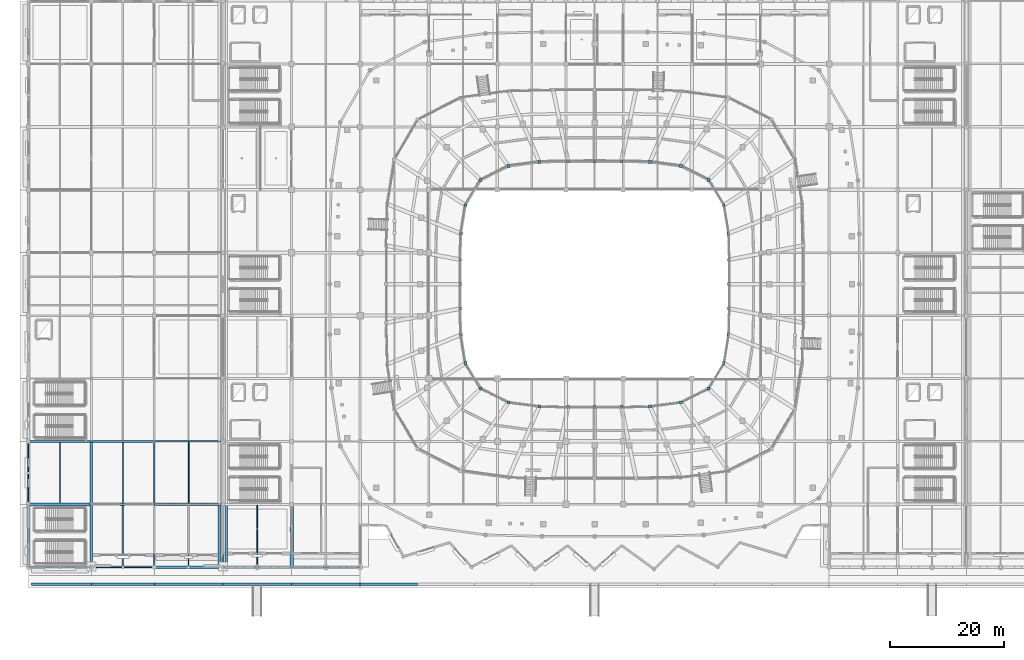
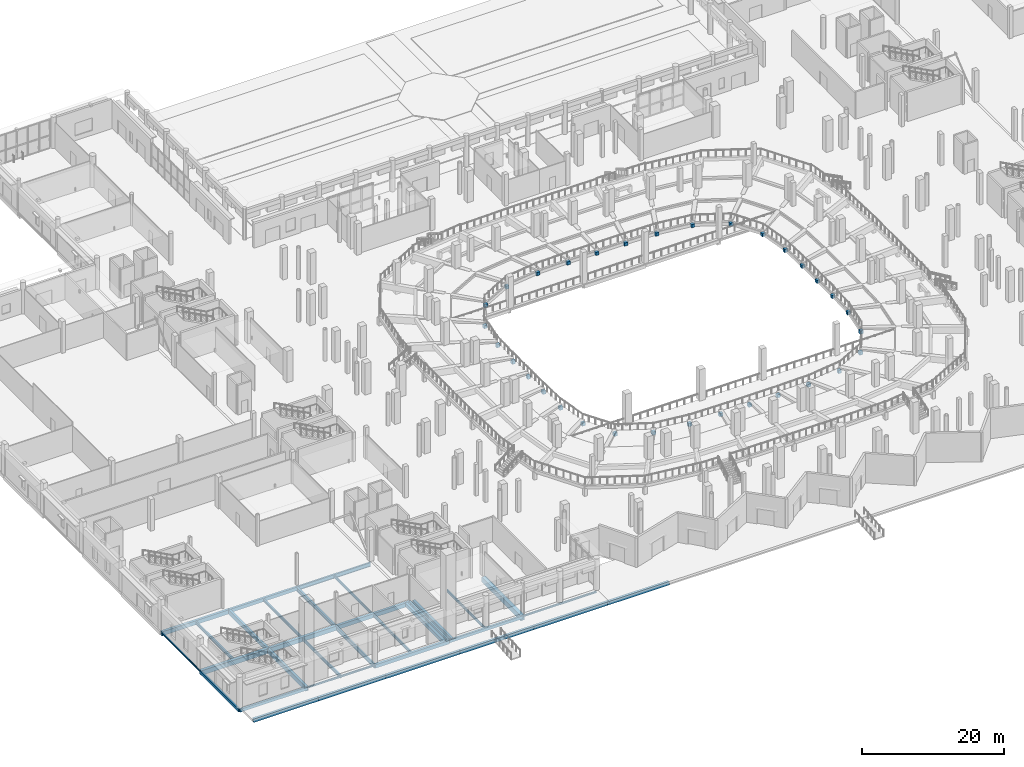
# One storey, part 16 of 120: 33 beams, 32 columns.
"""IFC4 building model written with IfcOpenShell, lengths in metres."""

from ifc_helpers import new_model, si_unit, direction, frame, origin, origin_2d, place, context, subcontext, project, spatial, rectangle, hollow_rectangle, i_section, extrude, material, material_profile, profile_set, type_object, element, save


model = new_model("IFC4")

# Units and contexts
model_context = context("Model", 3, precision=1e-05, world=origin(), true_north=direction((0.0, 1.0)))
body_context = subcontext(model_context, "Body", "Model", "MODEL_VIEW")
ifc_project = project(units=[si_unit("LENGTHUNIT", "METRE"), si_unit("AREAUNIT", "SQUARE_METRE"), si_unit("VOLUMEUNIT", "CUBIC_METRE"), si_unit("PLANEANGLEUNIT", "RADIAN"), si_unit("MASSUNIT", "GRAM", prefix="KILO")], contexts=[model_context])

# Site, building, storey
site_placement = place(None, origin())
site = spatial("IfcSite", under=ifc_project, at=site_placement, CompositionType="ELEMENT")
building_placement = place(site_placement, origin())
building = spatial("IfcBuilding", under=site, at=building_placement, Name="Luwafu Chhajja Arena", CompositionType="ELEMENT")
storey_placement = place(building_placement, origin())
storey = spatial("IfcBuildingStorey", under=building, at=storey_placement, Name="L00", CompositionType="ELEMENT", Elevation=0.0)

# Columns
ifc_material_1 = material(Name="Concrete C35/45", Category="concrete")
ifc_material_profile_1 = material_profile(ifc_material_1, rectangle(XDim=0.5, YDim=0.5, at=origin_2d()), Name="RC 500x500")
ifc_profile_set_1 = profile_set([ifc_material_profile_1], Name="Concrete C35/45")
column_type = type_object("IfcColumnType", Name="Pavilion Column RC 500", PredefinedType="COLUMN", material=ifc_profile_set_1)
for number, where, z_axis, x_axis, name in (
    (1, (122.5, 49.5, 0.0), (0.0, 0.0, 1.0), (1.0, 0.0, 0.0), "L00 Raker Toe Plinth 01"),
    (2, (122.49365234375, 53.775390625, 0.0), (0.0, 0.0, 1.0), (1.0, 0.0, 0.0), "L00 Raker Toe Plinth 02"),
    (3, (122.364013671875, 58.35400390625, 0.0), (0.0, 0.0, 1.0), (1.0, 0.0, 0.0), "L00 Raker Toe Plinth 03"),
    (4, (121.57421875, 63.2998046875, 0.0), (0.0, 0.0, 1.0), (1.0, 0.0, 0.0), "L00 Raker Toe Plinth 04"),
    (5, (118.9248046875, 67.72900390625, 0.0), (0.0, 0.0, 1.0), (1.0, 0.0, 0.0), "L00 Raker Toe Plinth 05"),
    (6, (114.08349609375, 70.153076171875, 0.0), (0.0, 0.0, 1.0), (1.0, 0.0, 0.0), "L00 Raker Toe Plinth 06"),
    (7, (108.677734375, 70.87548828125, 0.0), (0.0, 0.0, 1.0), (1.0, 0.0, 0.0), "L00 Raker Toe Plinth 07"),
    (8, (103.673095703125, 70.994140625, 0.0), (0.0, 0.0, 1.0), (1.0, 0.0, 0.0), "L00 Raker Toe Plinth 08"),
    (9, (99.0, 71.0, 0.0), (0.0, 0.0, 1.0), (1.0, 0.0, 0.0), "L00 Raker Toe Plinth 09"),
    (10, (94.326904296875, 70.994140625, 0.0), (0.0, 0.0, 1.0), (1.0, 0.0, 0.0), "L00 Raker Toe Plinth 10"),
    (11, (89.322265625, 70.87548828125, 0.0), (0.0, 0.0, 1.0), (1.0, 0.0, 0.0), "L00 Raker Toe Plinth 11"),
    (12, (83.91650390625, 70.153076171875, 0.0), (0.0, 0.0, 1.0), (1.0, 0.0, 0.0), "L00 Raker Toe Plinth 12"),
    (13, (79.0751953125, 67.72900390625, 0.0), (0.0, 0.0, 1.0), (1.0, 0.0, 0.0), "L00 Raker Toe Plinth 13"),
    (14, (76.42578125, 63.2998046875, 0.0), (0.0, 0.0, 1.0), (1.0, 0.0, 0.0), "L00 Raker Toe Plinth 14"),
    (15, (75.635986328125, 58.35400390625, 0.0), (0.0, 0.0, 1.0), (1.0, 0.0, 0.0), "L00 Raker Toe Plinth 15"),
    (16, (75.50634765625, 53.775390625, 0.0), (0.0, 0.0, 1.0), (1.0, 0.0, 0.0), "L00 Raker Toe Plinth 16"),
    (17, (75.5, 49.5, 0.0), (0.0, 0.0, 1.0), (1.0, 0.0, 0.0), "L00 Raker Toe Plinth 17"),
    (18, (75.50634765625, 45.224609375, 0.0), (0.0, 0.0, 1.0), (1.0, 0.0, 0.0), "L00 Raker Toe Plinth 18"),
    (19, (75.635986328125, 40.64599609375, 0.0), (0.0, 0.0, 1.0), (1.0, 0.0, 0.0), "L00 Raker Toe Plinth 19"),
    (20, (76.42578125, 35.7001953125, 0.0), (0.0, 0.0, 1.0), (1.0, 0.0, 0.0), "L00 Raker Toe Plinth 20"),
    (21, (79.0751953125, 31.27099609375, 0.0), (0.0, 0.0, 1.0), (1.0, 0.0, 0.0), "L00 Raker Toe Plinth 21"),
    (22, (83.91650390625, 28.846923828125, 0.0), (0.0, 0.0, 1.0), (1.0, 0.0, 0.0), "L00 Raker Toe Plinth 22"),
    (23, (89.322265625, 28.12451171875, 0.0), (0.0, 0.0, 1.0), (1.0, 0.0, 0.0), "L00 Raker Toe Plinth 23"),
    (24, (94.326904296875, 28.005859375, 0.0), (0.0, 0.0, 1.0), (1.0, 0.0, 0.0), "L00 Raker Toe Plinth 24"),
    (25, (99.0, 28.0, 0.0), (0.0, 0.0, 1.0), (1.0, 0.0, 0.0), "L00 Raker Toe Plinth 25"),
    (26, (103.673095703125, 28.005859375, 0.0), (0.0, 0.0, 1.0), (1.0, 0.0, 0.0), "L00 Raker Toe Plinth 26"),
    (27, (108.677734375, 28.12451171875, 0.0), (0.0, 0.0, 1.0), (1.0, 0.0, 0.0), "L00 Raker Toe Plinth 27"),
    (28, (114.08349609375, 28.846923828125, 0.0), (0.0, 0.0, 1.0), (1.0, 0.0, 0.0), "L00 Raker Toe Plinth 28"),
    (29, (118.9248046875, 31.27099609375, 0.0), (0.0, 0.0, 1.0), (1.0, 0.0, 0.0), "L00 Raker Toe Plinth 29"),
    (30, (121.57421875, 35.7001953125, 0.0), (0.0, 0.0, 1.0), (1.0, 0.0, 0.0), "L00 Raker Toe Plinth 30"),
    (31, (122.364013671875, 40.64599609375, 0.0), (0.0, 0.0, 1.0), (1.0, 0.0, 0.0), "L00 Raker Toe Plinth 31"),
    (32, (122.49365234375, 45.224609375, 0.0), (0.0, 0.0, 1.0), (1.0, 0.0, 0.0), "L00 Raker Toe Plinth 32"),
):
    element("IfcColumn", number, at=place(storey_placement, frame(where, z_axis=z_axis, x_axis=x_axis)), inside=storey, type_object=column_type, Name=name, PredefinedType="COLUMN", context=body_context, shape_type="SweptSolid", body=[
        extrude(rectangle(XDim=0.5, YDim=0.5, at=origin_2d()), origin(), (0.0, 0.0, 1.0), 0.550048828125),
    ])

# Beams
ifc_material_profile_2 = material_profile(ifc_material_1, rectangle(XDim=0.35009765625, YDim=0.60009765625, at=origin_2d()), Name="RC 350x600")
ifc_profile_set_2 = profile_set([ifc_material_profile_2], Name="Concrete C35/45")
beam_type_1 = type_object("IfcBeamType", Name="Arcade Tie Beam RC 350x600", PredefinedType="BEAM", material=ifc_profile_set_2)
beam_1_placement = place(storey_placement, frame((11.0, 22.0, -0.64990234375), z_axis=(1.0, 0.0, 0.0), x_axis=(0.0, 1.0, 0.0)))
element("IfcBeam", 33, at=beam_1_placement, inside=storey, type_object=beam_type_1, Name="L00 Grid Beam 2-3/C", PredefinedType="BEAM", context=body_context, shape_type="SweptSolid", body=[
    extrude(rectangle(XDim=0.35009765625, YDim=0.60009765625, at=origin_2d()), origin(), (0.0, 0.0, 1.0), 11.0),
])
ifc_material_2 = material(Name="Steel S355", Category="steel")
ifc_material_profile_3 = material_profile(ifc_material_2, i_section(OverallWidth=0.165771484375, OverallDepth=0.306640625, WebThickness=0.006591796875, FlangeThickness=0.01171875, at=origin_2d()), Name="UB 305x165x46")
ifc_profile_set_3 = profile_set([ifc_material_profile_3], Name="Steel S355")
beam_type_2 = type_object("IfcBeamType", Name="Concourse Edge Spandrel Beam UB 305x165x46", PredefinedType="SPANDREL", material=ifc_profile_set_3)
beam_2_placement = place(storey_placement, frame((11.0, 0.0, -0.50341796875), z_axis=(1.0, 0.0, 0.0), x_axis=(0.0, 1.0, 0.0)))
element("IfcBeam", 34, at=beam_2_placement, inside=storey, type_object=beam_type_2, Name="L00 Grid Beam 2-3/A", PredefinedType="SPANDREL", context=body_context, shape_type="SweptSolid", body=[
    extrude(i_section(OverallWidth=0.165771484375, OverallDepth=0.306640625, WebThickness=0.006591796875, FlangeThickness=0.01171875, at=origin_2d()), origin(), (0.0, 0.0, 1.0), 11.0),
])
beam_3_placement = place(storey_placement, frame((46.0, 0.0, -0.50341796875), z_axis=(1.0, 0.0, 0.0), x_axis=(0.0, 1.0, 0.0)))
element("IfcBeam", 35, at=beam_3_placement, inside=storey, type_object=beam_type_2, Name="L00 Grid Beam 5-6/A", PredefinedType="SPANDREL", context=body_context, shape_type="SweptSolid", body=[
    extrude(i_section(OverallWidth=0.165771484375, OverallDepth=0.306640625, WebThickness=0.006591796875, FlangeThickness=0.01171875, at=origin_2d()), origin(), (0.0, 0.0, 1.0), 12.0),
])
beam_4_placement = place(storey_placement, frame((0.0, 11.0, -0.50341796875), z_axis=(0.0, 1.0, 0.0), x_axis=(-1.0, 0.0, 0.0)))
element("IfcBeam", 36, at=beam_4_placement, inside=storey, type_object=beam_type_2, Name="L00 Grid Beam 1/B-C", PredefinedType="SPANDREL", context=body_context, shape_type="SweptSolid", body=[
    extrude(i_section(OverallWidth=0.165771484375, OverallDepth=0.306640625, WebThickness=0.006591796875, FlangeThickness=0.01171875, at=origin_2d()), origin(), (0.0, 0.0, 1.0), 11.0),
])
ifc_material_profile_4 = material_profile(ifc_material_1, rectangle(XDim=0.60009765625, YDim=0.89990234375, at=origin_2d()), Name="RC 600x900")
ifc_profile_set_4 = profile_set([ifc_material_profile_4], Name="Concrete C35/45")
beam_type_3 = type_object("IfcBeamType", Name="Concourse Primary Girder RC 600x900", PredefinedType="BEAM", material=ifc_profile_set_4)
beam_5_placement = place(storey_placement, frame((46.0, 0.0, -0.800048828125), z_axis=(0.0, 1.0, 0.0), x_axis=(-1.0, 0.0, 0.0)))
element("IfcBeam", 37, at=beam_5_placement, inside=storey, type_object=beam_type_3, Name="L00 Grid Beam 5/A-B", PredefinedType="BEAM", context=body_context, shape_type="SweptSolid", body=[
    extrude(rectangle(XDim=0.60009765625, YDim=0.89990234375, at=origin_2d()), origin(), (0.0, 0.0, 1.0), 11.0),
])
ifc_material_profile_5 = material_profile(ifc_material_2, i_section(OverallWidth=0.15283203125, OverallDepth=0.45458984375, WebThickness=0.008056640625, FlangeThickness=0.01318359375, at=origin_2d()), Name="UB 457x152x60")
ifc_profile_set_5 = profile_set([ifc_material_profile_5], Name="Steel S355")
beam_type_4 = type_object("IfcBeamType", Name="Floor Joist UB 457x152x60", PredefinedType="JOIST", material=ifc_profile_set_5)
beam_6_placement = place(storey_placement, frame((28.0, 11.199951171875, -0.577392578125), z_axis=(0.0, 1.0, 0.0), x_axis=(-1.0, 0.0, 0.0)))
element("IfcBeam", 38, at=beam_6_placement, inside=storey, type_object=beam_type_4, Name="L00 Secondary Joist 3-4/B", PredefinedType="JOIST", context=body_context, shape_type="SweptSolid", body=[
    extrude(i_section(OverallWidth=0.15283203125, OverallDepth=0.45458984375, WebThickness=0.008056640625, FlangeThickness=0.01318359375, at=origin_2d()), origin(), (0.0, 0.0, 1.0), 10.673095703125),
])
beam_7_placement = place(storey_placement, frame((40.0, 0.14990234375, -0.577392578125), z_axis=(0.0, 1.0, 0.0), x_axis=(-1.0, 0.0, 0.0)))
element("IfcBeam", 39, at=beam_7_placement, inside=storey, type_object=beam_type_4, Name="L00 Secondary Joist 4-5/A", PredefinedType="JOIST", context=body_context, shape_type="SweptSolid", body=[
    extrude(i_section(OverallWidth=0.15283203125, OverallDepth=0.45458984375, WebThickness=0.008056640625, FlangeThickness=0.01318359375, at=origin_2d()), origin(), (0.0, 0.0, 1.0), 10.675048828125),
])
ifc_material_profile_6 = material_profile(ifc_material_2, i_section(OverallWidth=0.19140625, OverallDepth=0.4599609375, WebThickness=0.010009765625, FlangeThickness=0.01611328125, at=origin_2d()), Name="UB 457x191x82")
ifc_profile_set_6 = profile_set([ifc_material_profile_6], Name="Steel S355")
beam_type_5 = type_object("IfcBeamType", Name="Floor Joist UB 457x191x82", PredefinedType="JOIST", material=ifc_profile_set_6)
beam_8_placement = place(storey_placement, frame((16.5, 11.22509765625, -0.580078125), z_axis=(0.0, 1.0, 0.0), x_axis=(-1.0, 0.0, 0.0)))
element("IfcBeam", 40, at=beam_8_placement, inside=storey, type_object=beam_type_5, Name="L00 Secondary Joist 2-3/B", PredefinedType="JOIST", context=body_context, shape_type="SweptSolid", body=[
    extrude(i_section(OverallWidth=0.19140625, OverallDepth=0.4599609375, WebThickness=0.010009765625, FlangeThickness=0.01611328125, at=origin_2d()), origin(), (0.0, 0.0, 1.0), 10.599853515625),
])
beam_9_placement = place(storey_placement, frame((28.0, 0.199951171875, -0.580078125), z_axis=(0.0, 1.0, 0.0), x_axis=(-1.0, 0.0, 0.0)))
element("IfcBeam", 41, at=beam_9_placement, inside=storey, type_object=beam_type_5, Name="L00 Secondary Joist 3-4/A", PredefinedType="JOIST", context=body_context, shape_type="SweptSolid", body=[
    extrude(i_section(OverallWidth=0.19140625, OverallDepth=0.4599609375, WebThickness=0.010009765625, FlangeThickness=0.01611328125, at=origin_2d()), origin(), (0.0, 0.0, 1.0), 10.60009765625),
])
ifc_material_profile_7 = material_profile(ifc_material_2, i_section(OverallWidth=0.209228515625, OverallDepth=0.533203125, WebThickness=0.010009765625, FlangeThickness=0.015625, at=origin_2d()), Name="UB 533x210x92")
ifc_profile_set_7 = profile_set([ifc_material_profile_7], Name="Steel S355")
beam_type_6 = type_object("IfcBeamType", Name="Floor Joist UB 533x210x92", PredefinedType="JOIST", material=ifc_profile_set_7)
beam_10_placement = place(storey_placement, frame((5.5, 11.25, -0.616455078125), z_axis=(0.0, 1.0, 0.0), x_axis=(-1.0, 0.0, 0.0)))
element("IfcBeam", 42, at=beam_10_placement, inside=storey, type_object=beam_type_6, Name="L00 Secondary Joist 1-2/B", PredefinedType="JOIST", context=body_context, shape_type="SweptSolid", body=[
    extrude(i_section(OverallWidth=0.209228515625, OverallDepth=0.533203125, WebThickness=0.010009765625, FlangeThickness=0.015625, at=origin_2d()), origin(), (0.0, 0.0, 1.0), 10.550048828125),
])
beam_11_placement = place(storey_placement, frame((16.5, 0.082763671875, -0.616455078125), z_axis=(0.0, 1.0, 0.0), x_axis=(-1.0, 0.0, 0.0)))
element("IfcBeam", 43, at=beam_11_placement, inside=storey, type_object=beam_type_6, Name="L00 Secondary Joist 2-3/A", PredefinedType="JOIST", context=body_context, shape_type="SweptSolid", body=[
    extrude(i_section(OverallWidth=0.209228515625, OverallDepth=0.533203125, WebThickness=0.010009765625, FlangeThickness=0.015625, at=origin_2d()), origin(), (0.0, 0.0, 1.0), 10.692138671875),
])
ifc_material_profile_8 = material_profile(ifc_material_1, rectangle(XDim=0.5, YDim=0.800048828125, at=origin_2d()), Name="RC 500x800")
ifc_profile_set_8 = profile_set([ifc_material_profile_8], Name="Concrete C35/45")
beam_type_7 = type_object("IfcBeamType", Name="Hospitality Primary Beam RC 500x800", PredefinedType="BEAM", material=ifc_profile_set_8)
beam_12_placement = place(storey_placement, frame((0.0, 11.0, -0.75), z_axis=(1.0, 0.0, 0.0), x_axis=(0.0, 1.0, 0.0)))
element("IfcBeam", 44, at=beam_12_placement, inside=storey, type_object=beam_type_7, Name="L00 Grid Beam 1-2/B", PredefinedType="BEAM", context=body_context, shape_type="SweptSolid", body=[
    extrude(rectangle(XDim=0.5, YDim=0.800048828125, at=origin_2d()), origin(), (0.0, 0.0, 1.0), 11.0),
])
ifc_material_profile_9 = material_profile(ifc_material_2, hollow_rectangle(XDim=0.300048828125, YDim=0.5, WallThickness=0.02001953125, at=origin_2d()), Name="RHS 500x300x20")
ifc_profile_set_9 = profile_set([ifc_material_profile_9], Name="Steel S355")
beam_type_8 = type_object("IfcBeamType", Name="Pleated Drum Spandrel Beam RHS 500x300", PredefinedType="SPANDREL", material=ifc_profile_set_9)
beam_13_placement = place(storey_placement, frame((0.0, 0.0, -0.60009765625), z_axis=(1.0, 0.0, 0.0), x_axis=(0.0, 1.0, 0.0)))
element("IfcBeam", 45, at=beam_13_placement, inside=storey, type_object=beam_type_8, Name="L00 Grid Beam 1-2/A", PredefinedType="SPANDREL", context=body_context, shape_type="SweptSolid", body=[
    extrude(hollow_rectangle(XDim=0.300048828125, YDim=0.5, WallThickness=0.02001953125, at=origin_2d()), origin(), (0.0, 0.0, 1.0), 11.0),
])
beam_14_placement = place(storey_placement, frame((34.0, 0.0, -0.60009765625), z_axis=(1.0, 0.0, 0.0), x_axis=(0.0, 1.0, 0.0)))
element("IfcBeam", 46, at=beam_14_placement, inside=storey, type_object=beam_type_8, Name="L00 Grid Beam 4-5/A", PredefinedType="SPANDREL", context=body_context, shape_type="SweptSolid", body=[
    extrude(hollow_rectangle(XDim=0.300048828125, YDim=0.5, WallThickness=0.02001953125, at=origin_2d()), origin(), (0.0, 0.0, 1.0), 12.0),
])
beam_15_placement = place(storey_placement, frame((0.0, 0.0, -0.60009765625), z_axis=(0.0, 1.0, 0.0), x_axis=(-1.0, 0.0, 0.0)))
element("IfcBeam", 47, at=beam_15_placement, inside=storey, type_object=beam_type_8, Name="L00 Grid Beam 1/A-B", PredefinedType="SPANDREL", context=body_context, shape_type="SweptSolid", body=[
    extrude(hollow_rectangle(XDim=0.300048828125, YDim=0.5, WallThickness=0.02001953125, at=origin_2d()), origin(), (0.0, 0.0, 1.0), 11.0),
])
ifc_material_profile_10 = material_profile(ifc_material_1, rectangle(XDim=0.39990234375, YDim=0.60009765625, at=origin_2d()), Name="RC 400x600")
ifc_profile_set_10 = profile_set([ifc_material_profile_10], Name="Concrete C35/45")
beam_type_9 = type_object("IfcBeamType", Name="Podium Perimeter Spandrel RC 400x600", PredefinedType="SPANDREL", material=ifc_profile_set_10)
beam_16_placement = place(storey_placement, frame((22.0, 0.0, -0.64990234375), z_axis=(1.0, 0.0, 0.0), x_axis=(0.0, 1.0, 0.0)))
element("IfcBeam", 48, at=beam_16_placement, inside=storey, type_object=beam_type_9, Name="L00 Grid Beam 3-4/A", PredefinedType="SPANDREL", context=body_context, shape_type="SweptSolid", body=[
    extrude(rectangle(XDim=0.39990234375, YDim=0.60009765625, at=origin_2d()), origin(), (0.0, 0.0, 1.0), 12.0),
])
for number, where, z_axis, x_axis, name in (
    (49, (33.3798828125, 0.080078125, -0.64990234375), (0.0, 1.0, 0.0), (-1.0, 0.0, 0.0), "L00 Movement Joint MJ1W Seat Girder 00"),
    (50, (34.6201171875, 0.080078125, -0.64990234375), (0.0, 1.0, 0.0), (-1.0, 0.0, 0.0), "L00 Movement Joint MJ1E Seat Girder 00"),
):
    element("IfcBeam", number, at=place(storey_placement, frame(where, z_axis=z_axis, x_axis=x_axis)), inside=storey, type_object=beam_type_9, Name=name, PredefinedType="SPANDREL", context=body_context, shape_type="SweptSolid", body=[
        extrude(rectangle(XDim=0.39990234375, YDim=0.60009765625, at=origin_2d()), origin(), (0.0, 0.0, 1.0), 10.83984375),
    ])
beam_17_placement = place(storey_placement, frame((0.5, -2.949951171875, -0.659912109375), z_axis=(1.0, 0.0, 0.0), x_axis=(0.0, 1.0, 0.0)))
element("IfcBeam", 51, at=beam_17_placement, inside=storey, type_object=beam_type_9, Name="L00 Forecourt Plinth Edge Beam 01", PredefinedType="SPANDREL", context=body_context, shape_type="SweptSolid", body=[
    extrude(rectangle(XDim=0.39990234375, YDim=0.60009765625, at=origin_2d()), origin(), (0.0, 0.0, 1.0), 10.5),
])
beam_18_placement = place(storey_placement, frame((11.0, -2.949951171875, -0.659912109375), z_axis=(1.0, 0.0, 0.0), x_axis=(0.0, 1.0, 0.0)))
element("IfcBeam", 52, at=beam_18_placement, inside=storey, type_object=beam_type_9, Name="L00 Forecourt Plinth Edge Beam 02", PredefinedType="SPANDREL", context=body_context, shape_type="SweptSolid", body=[
    extrude(rectangle(XDim=0.39990234375, YDim=0.60009765625, at=origin_2d()), origin(), (0.0, 0.0, 1.0), 11.0),
])
for number, where, z_axis, x_axis, name in (
    (53, (22.0, -2.949951171875, -0.659912109375), (1.0, 0.0, 0.0), (0.0, 1.0, 0.0), "L00 Forecourt Plinth Edge Beam 03"),
    (54, (34.0, -2.949951171875, -0.659912109375), (1.0, 0.0, 0.0), (0.0, 1.0, 0.0), "L00 Forecourt Plinth Edge Beam 04"),
    (55, (46.0, -2.949951171875, -0.659912109375), (1.0, 0.0, 0.0), (0.0, 1.0, 0.0), "L00 Forecourt Plinth Edge Beam 05"),
):
    element("IfcBeam", number, at=place(storey_placement, frame(where, z_axis=z_axis, x_axis=x_axis)), inside=storey, type_object=beam_type_9, Name=name, PredefinedType="SPANDREL", context=body_context, shape_type="SweptSolid", body=[
        extrude(rectangle(XDim=0.39990234375, YDim=0.60009765625, at=origin_2d()), origin(), (0.0, 0.0, 1.0), 12.0),
    ])
beam_19_placement = place(storey_placement, frame((58.0, -2.949951171875, -0.659912109375), z_axis=(1.0, 0.0, 0.0), x_axis=(0.0, 1.0, 0.0)))
element("IfcBeam", 56, at=beam_19_placement, inside=storey, type_object=beam_type_9, Name="L00 Forecourt Plinth Edge Beam 06", PredefinedType="SPANDREL", context=body_context, shape_type="SweptSolid", body=[
    extrude(rectangle(XDim=0.39990234375, YDim=0.60009765625, at=origin_2d()), origin(), (0.0, 0.0, 1.0), 10.0),
])
ifc_material_profile_11 = material_profile(ifc_material_2, i_section(OverallWidth=0.253662109375, OverallDepth=0.68359375, WebThickness=0.012451171875, FlangeThickness=0.01904296875, at=origin_2d()), Name="UB 686x254x140")
ifc_profile_set_11 = profile_set([ifc_material_profile_11], Name="Steel S355")
beam_type_10 = type_object("IfcBeamType", Name="Steel Concourse Girder UB 686x254x140", PredefinedType="BEAM", material=ifc_profile_set_11)
beam_20_placement = place(storey_placement, frame((22.0, 22.0, -0.691650390625), z_axis=(1.0, 0.0, 0.0), x_axis=(0.0, 1.0, 0.0)))
element("IfcBeam", 57, at=beam_20_placement, inside=storey, type_object=beam_type_10, Name="L00 Grid Beam 3-4/C", PredefinedType="BEAM", context=body_context, shape_type="SweptSolid", body=[
    extrude(i_section(OverallWidth=0.253662109375, OverallDepth=0.68359375, WebThickness=0.012451171875, FlangeThickness=0.01904296875, at=origin_2d()), origin(), (0.0, 0.0, 1.0), 12.0),
])
beam_21_placement = place(storey_placement, frame((22.0, 0.0, -0.691650390625), z_axis=(0.0, 1.0, 0.0), x_axis=(-1.0, 0.0, 0.0)))
element("IfcBeam", 58, at=beam_21_placement, inside=storey, type_object=beam_type_10, Name="L00 Grid Beam 3/A-B", PredefinedType="BEAM", context=body_context, shape_type="SweptSolid", body=[
    extrude(i_section(OverallWidth=0.253662109375, OverallDepth=0.68359375, WebThickness=0.012451171875, FlangeThickness=0.01904296875, at=origin_2d()), origin(), (0.0, 0.0, 1.0), 11.0),
])
ifc_material_profile_12 = material_profile(ifc_material_2, i_section(OverallWidth=0.300048828125, OverallDepth=0.60009765625, WebThickness=0.015380859375, FlangeThickness=0.030029296875, at=origin_2d()), Name="HEB 600")
ifc_profile_set_12 = profile_set([ifc_material_profile_12], Name="Steel S355")
beam_type_11 = type_object("IfcBeamType", Name="Steel Gallery Girder HEB 600", PredefinedType="BEAM", material=ifc_profile_set_12)
beam_22_placement = place(storey_placement, frame((34.0, 0.0, -0.64990234375), z_axis=(0.0, 1.0, 0.0), x_axis=(-1.0, 0.0, 0.0)))
element("IfcBeam", 59, at=beam_22_placement, inside=storey, type_object=beam_type_11, Name="L00 Grid Beam 4/A-B", PredefinedType="BEAM", context=body_context, shape_type="SweptSolid", body=[
    extrude(i_section(OverallWidth=0.300048828125, OverallDepth=0.60009765625, WebThickness=0.015380859375, FlangeThickness=0.030029296875, at=origin_2d()), origin(), (0.0, 0.0, 1.0), 11.0),
])
ifc_material_profile_13 = material_profile(ifc_material_2, i_section(OverallWidth=0.30712890625, OverallDepth=0.6201171875, WebThickness=0.01416015625, FlangeThickness=0.023681640625, at=origin_2d()), Name="UB 610x305x179")
ifc_profile_set_13 = profile_set([ifc_material_profile_13], Name="Steel S355")
beam_type_12 = type_object("IfcBeamType", Name="Steel Hospitality Girder UB 610x305x179", PredefinedType="BEAM", material=ifc_profile_set_13)
beam_23_placement = place(storey_placement, frame((22.0, 11.0, -0.66015625), z_axis=(0.0, 1.0, 0.0), x_axis=(-1.0, 0.0, 0.0)))
element("IfcBeam", 60, at=beam_23_placement, inside=storey, type_object=beam_type_12, Name="L00 Grid Beam 3/B-C", PredefinedType="BEAM", context=body_context, shape_type="SweptSolid", body=[
    extrude(i_section(OverallWidth=0.30712890625, OverallDepth=0.6201171875, WebThickness=0.01416015625, FlangeThickness=0.023681640625, at=origin_2d()), origin(), (0.0, 0.0, 1.0), 11.0),
])
ifc_material_profile_14 = material_profile(ifc_material_1, rectangle(XDim=0.39990234375, YDim=0.699951171875, at=origin_2d()), Name="RC 400x700")
ifc_profile_set_14 = profile_set([ifc_material_profile_14], Name="Concrete C35/45")
beam_type_13 = type_object("IfcBeamType", Name="Wing Frame Beam RC 400x700", PredefinedType="BEAM", material=ifc_profile_set_14)
beam_24_placement = place(storey_placement, frame((0.0, 22.0, -0.699951171875), z_axis=(1.0, 0.0, 0.0), x_axis=(0.0, 1.0, 0.0)))
element("IfcBeam", 61, at=beam_24_placement, inside=storey, type_object=beam_type_13, Name="L00 Grid Beam 1-2/C", PredefinedType="BEAM", context=body_context, shape_type="SweptSolid", body=[
    extrude(rectangle(XDim=0.39990234375, YDim=0.699951171875, at=origin_2d()), origin(), (0.0, 0.0, 1.0), 11.0),
])
beam_25_placement = place(storey_placement, frame((22.0, 11.0, -0.699951171875), z_axis=(1.0, 0.0, 0.0), x_axis=(0.0, 1.0, 0.0)))
element("IfcBeam", 62, at=beam_25_placement, inside=storey, type_object=beam_type_13, Name="L00 Grid Beam 3-4/B", PredefinedType="BEAM", context=body_context, shape_type="SweptSolid", body=[
    extrude(rectangle(XDim=0.39990234375, YDim=0.699951171875, at=origin_2d()), origin(), (0.0, 0.0, 1.0), 12.0),
])
beam_26_placement = place(storey_placement, frame((11.0, 11.0, -0.699951171875), z_axis=(0.0, 1.0, 0.0), x_axis=(-1.0, 0.0, 0.0)))
element("IfcBeam", 63, at=beam_26_placement, inside=storey, type_object=beam_type_13, Name="L00 Grid Beam 2/B-C", PredefinedType="BEAM", context=body_context, shape_type="SweptSolid", body=[
    extrude(rectangle(XDim=0.39990234375, YDim=0.699951171875, at=origin_2d()), origin(), (0.0, 0.0, 1.0), 11.0),
])
ifc_material_profile_15 = material_profile(ifc_material_1, rectangle(XDim=0.449951171875, YDim=0.75, at=origin_2d()), Name="RC 450x750")
ifc_profile_set_15 = profile_set([ifc_material_profile_15], Name="Concrete C35/45")
beam_type_14 = type_object("IfcBeamType", Name="Wing Primary Beam RC 450x750", PredefinedType="BEAM", material=ifc_profile_set_15)
for number, where, z_axis, x_axis, name in (
    (64, (11.0, 11.0, -0.72509765625), (1.0, 0.0, 0.0), (0.0, 1.0, 0.0), "L00 Grid Beam 2-3/B"),
    (65, (11.0, 0.0, -0.72509765625), (0.0, 1.0, 0.0), (-1.0, 0.0, 0.0), "L00 Grid Beam 2/A-B"),
):
    element("IfcBeam", number, at=place(storey_placement, frame(where, z_axis=z_axis, x_axis=x_axis)), inside=storey, type_object=beam_type_14, Name=name, PredefinedType="BEAM", context=body_context, shape_type="SweptSolid", body=[
        extrude(rectangle(XDim=0.449951171875, YDim=0.75, at=origin_2d()), origin(), (0.0, 0.0, 1.0), 11.0),
    ])

save(model, "model.ifc")
